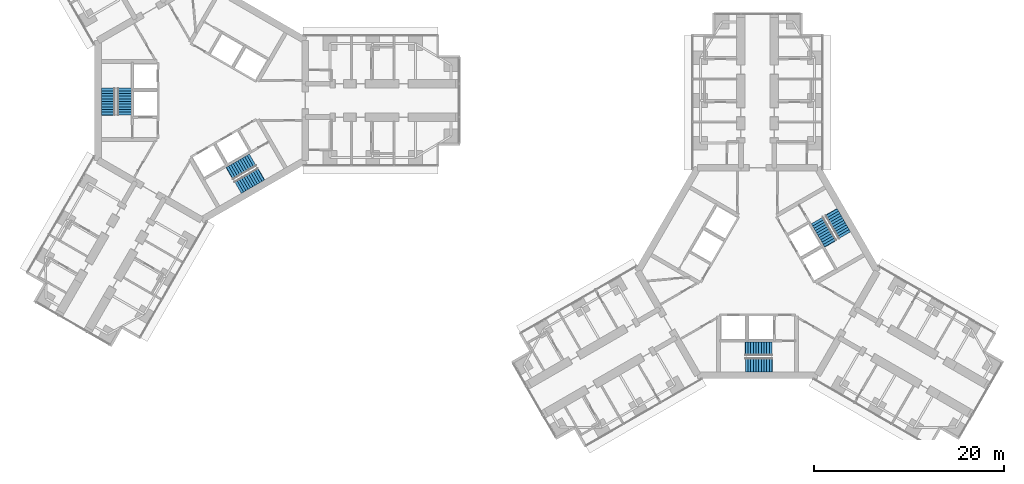
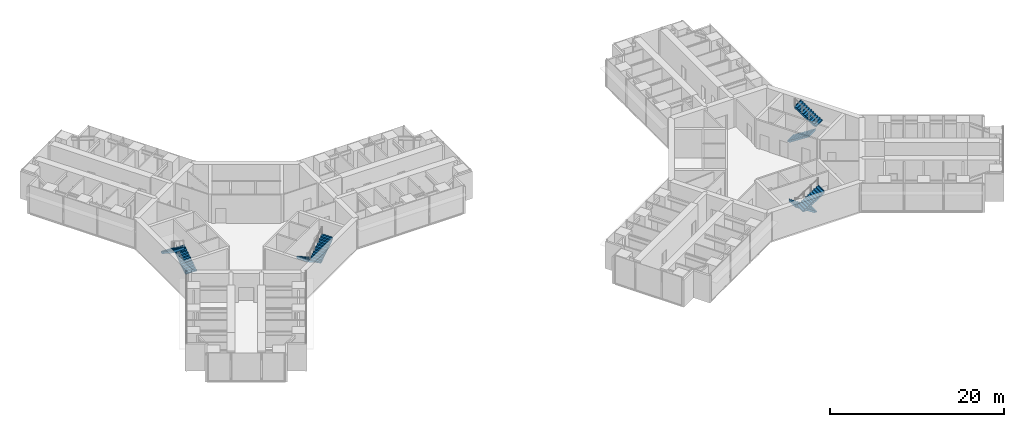
# One storey, part 23 of 24: 8 stair flights, 4 elements without a shape of their own.
"""IFC4 building model written with IfcOpenShell, lengths in metres."""

from ifc_helpers import new_model, si_unit, direction, frame, origin, place, context, subcontext, project, spatial, polyline, outline, extrude, material, type_object, element, aggregate, save


model = new_model("IFC4")

# Units and contexts
model_context = context("Model", 3, precision=1e-05, world=origin(), true_north=direction((0.0, 1.0)))
body_context = subcontext(model_context, "Body", "Model", "MODEL_VIEW")
ifc_project = project(units=[si_unit("LENGTHUNIT", "METRE"), si_unit("AREAUNIT", "SQUARE_METRE"), si_unit("VOLUMEUNIT", "CUBIC_METRE"), si_unit("PLANEANGLEUNIT", "RADIAN"), si_unit("MASSUNIT", "GRAM", prefix="KILO")], contexts=[model_context])

# Site, building, storey
site_placement = place(None, origin())
site = spatial("IfcSite", under=ifc_project, at=site_placement, CompositionType="ELEMENT")
building_placement = place(site_placement, origin())
building = spatial("IfcBuilding", under=site, at=building_placement, Name="Upepo Twin Towers", CompositionType="ELEMENT")
storey_placement = place(building_placement, frame((0.0, 0.0, 64.5)))
storey = spatial("IfcBuildingStorey", under=building, at=storey_placement, Name="L15", CompositionType="ELEMENT", Elevation=64.5)

# Stair, stair flights
ifc_material_1 = material(Name="Concrete C40/50", Category="concrete")
stair_type = type_object("IfcStairType", Name="Core stair, two flights", PredefinedType="HALF_TURN_STAIR", material=ifc_material_1)
stair_1_placement = place(storey_placement, origin())
stair_1 = element("IfcStair", 1, at=stair_1_placement, inside=storey, type_object=stair_type, Name="T1 stair S1 L15", PredefinedType="HALF_TURN_STAIR")
ifc_material_2 = material(Name="Concrete C40/50", Category="concrete")
stair_flight_type = type_object("IfcStairFlightType", Name="Stair flight 1450 RC", PredefinedType="STRAIGHT", material=ifc_material_2)
stair_flight_1_placement = place(storey_placement, frame((-8.125, -1.52001953125, 0.0), z_axis=(0.0, 0.0, 1.0), x_axis=(0.0, 1.0, 0.0)))
stair_flight_1 = element("IfcStairFlight", 2, at=stair_flight_1_placement, type_object=stair_flight_type, Name="Stair S1 flight 1", NumberOfRisers=11, NumberOfTreads=10, PredefinedType="STRAIGHT", RiserHeight=0.181818182, TreadLength=0.28, context=body_context, shape_type="SweptSolid", body=[
    extrude(outline(polyline([(0.0, 0.0), (0.0, 0.181884765625), (0.280029296875, 0.181884765625), (0.280029296875, 0.363525390625), (0.56005859375, 0.363525390625), (0.56005859375, 0.54541015625), (0.840087890625, 0.54541015625), (0.840087890625, 0.727294921875), (1.1201171875, 0.727294921875), (1.1201171875, 0.9091796875), (1.39990234375, 0.9091796875), (1.39990234375, 1.0908203125), (1.679931640625, 1.0908203125), (1.679931640625, 1.272705078125), (1.9599609375, 1.272705078125), (1.9599609375, 1.45458984375), (2.239990234375, 1.45458984375), (2.239990234375, 1.636474609375), (2.52001953125, 1.636474609375), (2.52001953125, 1.818115234375), (2.800048828125, 1.818115234375), (2.800048828125, 2.0), (2.85009765625, 2.0), (2.85009765625, 1.639404296875), (0.3251953125, 0.0), (0.0, 0.0)])), frame((0.0, 0.72509765625, 0.0), z_axis=(0.0, -1.0, 0.0), x_axis=(1.0, 0.0, 0.0)), (0.0, 0.0, 1.0), 1.449951171875),
])
stair_flight_2_placement = place(storey_placement, frame((-9.833251953125, 1.280029296875, 2.0), z_axis=(0.0, 0.0, 1.0), x_axis=(0.0, -1.0, 0.0)))
stair_flight_2 = element("IfcStairFlight", 3, at=stair_flight_2_placement, type_object=stair_flight_type, Name="Stair S1 flight 2", NumberOfRisers=11, NumberOfTreads=10, PredefinedType="STRAIGHT", RiserHeight=0.181818182, TreadLength=0.28, context=body_context, shape_type="SweptSolid", body=[
    extrude(outline(polyline([(0.0, 0.0), (0.0, 0.181884765625), (0.280029296875, 0.181884765625), (0.280029296875, 0.363525390625), (0.56005859375, 0.363525390625), (0.56005859375, 0.54541015625), (0.840087890625, 0.54541015625), (0.840087890625, 0.727294921875), (1.1201171875, 0.727294921875), (1.1201171875, 0.9091796875), (1.39990234375, 0.9091796875), (1.39990234375, 1.0908203125), (1.679931640625, 1.0908203125), (1.679931640625, 1.272705078125), (1.9599609375, 1.272705078125), (1.9599609375, 1.45458984375), (2.239990234375, 1.45458984375), (2.239990234375, 1.636474609375), (2.52001953125, 1.636474609375), (2.52001953125, 1.818115234375), (2.800048828125, 1.818115234375), (2.800048828125, 2.0), (2.85009765625, 2.0), (2.85009765625, 1.639404296875), (0.3251953125, 0.0), (0.0, 0.0)])), frame((0.0, 0.72509765625, 0.0), z_axis=(0.0, -1.0, 0.0), x_axis=(1.0, 0.0, 0.0)), (0.0, 0.0, 1.0), 1.449951171875),
])
aggregate(stair_1, [stair_flight_1, stair_flight_2])

stair_2_placement = place(storey_placement, origin())
stair_2 = element("IfcStair", 4, at=stair_2_placement, inside=storey, type_object=stair_type, Name="T1 stair S2 L15", PredefinedType="HALF_TURN_STAIR")
stair_flight_3_placement = place(storey_placement, frame((5.37890625, -6.2763671875, 0.0), z_axis=(0.0, 0.0, 1.0), x_axis=(-0.866025403784, -0.5, 0.0)))
stair_flight_3 = element("IfcStairFlight", 5, at=stair_flight_3_placement, type_object=stair_flight_type, Name="Stair S2 flight 1", NumberOfRisers=11, NumberOfTreads=10, PredefinedType="STRAIGHT", RiserHeight=0.181818182, TreadLength=0.28, context=body_context, shape_type="SweptSolid", body=[
    extrude(outline(polyline([(0.0, 0.0), (0.0, 0.181884765625), (0.280029296875, 0.181884765625), (0.280029296875, 0.363525390625), (0.56005859375, 0.363525390625), (0.56005859375, 0.54541015625), (0.840087890625, 0.54541015625), (0.840087890625, 0.727294921875), (1.1201171875, 0.727294921875), (1.1201171875, 0.9091796875), (1.39990234375, 0.9091796875), (1.39990234375, 1.0908203125), (1.679931640625, 1.0908203125), (1.679931640625, 1.272705078125), (1.9599609375, 1.272705078125), (1.9599609375, 1.45458984375), (2.239990234375, 1.45458984375), (2.239990234375, 1.636474609375), (2.52001953125, 1.636474609375), (2.52001953125, 1.818115234375), (2.800048828125, 1.818115234375), (2.800048828125, 2.0), (2.85009765625, 2.0), (2.85009765625, 1.639404296875), (0.3251953125, 0.0), (0.0, 0.0)])), frame((0.0, 0.72509765625, 0.0), z_axis=(0.0, -1.0, 0.0), x_axis=(1.0, 0.0, 0.0)), (0.0, 0.0, 1.0), 1.449951171875),
])
stair_flight_4_placement = place(storey_placement, frame((3.80810546875, -9.156005859375, 2.0), z_axis=(0.0, 0.0, 1.0), x_axis=(0.866025403784, 0.5, 0.0)))
stair_flight_4 = element("IfcStairFlight", 6, at=stair_flight_4_placement, type_object=stair_flight_type, Name="Stair S2 flight 2", NumberOfRisers=11, NumberOfTreads=10, PredefinedType="STRAIGHT", RiserHeight=0.181818182, TreadLength=0.28, context=body_context, shape_type="SweptSolid", body=[
    extrude(outline(polyline([(0.0, 0.0), (0.0, 0.181884765625), (0.280029296875, 0.181884765625), (0.280029296875, 0.363525390625), (0.56005859375, 0.363525390625), (0.56005859375, 0.54541015625), (0.840087890625, 0.54541015625), (0.840087890625, 0.727294921875), (1.1201171875, 0.727294921875), (1.1201171875, 0.9091796875), (1.39990234375, 0.9091796875), (1.39990234375, 1.0908203125), (1.679931640625, 1.0908203125), (1.679931640625, 1.272705078125), (1.9599609375, 1.272705078125), (1.9599609375, 1.45458984375), (2.239990234375, 1.45458984375), (2.239990234375, 1.636474609375), (2.52001953125, 1.636474609375), (2.52001953125, 1.818115234375), (2.800048828125, 1.818115234375), (2.800048828125, 2.0), (2.85009765625, 2.0), (2.85009765625, 1.639404296875), (0.3251953125, 0.0), (0.0, 0.0)])), frame((0.0, 0.72509765625, 0.0), z_axis=(0.0, -1.0, 0.0), x_axis=(1.0, 0.0, 0.0)), (0.0, 0.0, 1.0), 1.449951171875),
])
aggregate(stair_2, [stair_flight_3, stair_flight_4])

stair_3_placement = place(storey_placement, origin())
stair_3 = element("IfcStair", 7, at=stair_3_placement, inside=storey, type_object=stair_type, Name="T2 stair S1 L15", PredefinedType="HALF_TURN_STAIR")
stair_flight_5_placement = place(storey_placement, frame((60.02001953125, -26.125, 0.0), z_axis=(0.0, 0.0, 1.0), x_axis=(-1.0, 0.0, 0.0)))
stair_flight_5 = element("IfcStairFlight", 8, at=stair_flight_5_placement, type_object=stair_flight_type, Name="Stair S1 flight 1", NumberOfRisers=11, NumberOfTreads=10, PredefinedType="STRAIGHT", RiserHeight=0.181818182, TreadLength=0.28, context=body_context, shape_type="SweptSolid", body=[
    extrude(outline(polyline([(0.0, 0.0), (0.0, 0.181884765625), (0.280029296875, 0.181884765625), (0.280029296875, 0.363525390625), (0.56005859375, 0.363525390625), (0.56005859375, 0.54541015625), (0.840087890625, 0.54541015625), (0.840087890625, 0.727294921875), (1.1201171875, 0.727294921875), (1.1201171875, 0.9091796875), (1.39990234375, 0.9091796875), (1.39990234375, 1.0908203125), (1.679931640625, 1.0908203125), (1.679931640625, 1.272705078125), (1.9599609375, 1.272705078125), (1.9599609375, 1.45458984375), (2.239990234375, 1.45458984375), (2.239990234375, 1.636474609375), (2.52001953125, 1.636474609375), (2.52001953125, 1.818115234375), (2.800048828125, 1.818115234375), (2.800048828125, 2.0), (2.85009765625, 2.0), (2.85009765625, 1.639404296875), (0.3251953125, 0.0), (0.0, 0.0)])), frame((0.0, 0.72509765625, 0.0), z_axis=(0.0, -1.0, 0.0), x_axis=(1.0, 0.0, 0.0)), (0.0, 0.0, 1.0), 1.449951171875),
])
stair_flight_6_placement = place(storey_placement, frame((57.219970703125, -27.833251953125, 2.0), z_axis=(0.0, 0.0, 1.0), x_axis=(1.0, 0.0, 0.0)))
stair_flight_6 = element("IfcStairFlight", 9, at=stair_flight_6_placement, type_object=stair_flight_type, Name="Stair S1 flight 2", NumberOfRisers=11, NumberOfTreads=10, PredefinedType="STRAIGHT", RiserHeight=0.181818182, TreadLength=0.28, context=body_context, shape_type="SweptSolid", body=[
    extrude(outline(polyline([(0.0, 0.0), (0.0, 0.181884765625), (0.280029296875, 0.181884765625), (0.280029296875, 0.363525390625), (0.56005859375, 0.363525390625), (0.56005859375, 0.54541015625), (0.840087890625, 0.54541015625), (0.840087890625, 0.727294921875), (1.1201171875, 0.727294921875), (1.1201171875, 0.9091796875), (1.39990234375, 0.9091796875), (1.39990234375, 1.0908203125), (1.679931640625, 1.0908203125), (1.679931640625, 1.272705078125), (1.9599609375, 1.272705078125), (1.9599609375, 1.45458984375), (2.239990234375, 1.45458984375), (2.239990234375, 1.636474609375), (2.52001953125, 1.636474609375), (2.52001953125, 1.818115234375), (2.800048828125, 1.818115234375), (2.800048828125, 2.0), (2.85009765625, 2.0), (2.85009765625, 1.639404296875), (0.3251953125, 0.0), (0.0, 0.0)])), frame((0.0, 0.72509765625, 0.0), z_axis=(0.0, -1.0, 0.0), x_axis=(1.0, 0.0, 0.0)), (0.0, 0.0, 1.0), 1.449951171875),
])
aggregate(stair_3, [stair_flight_5, stair_flight_6])

stair_4_placement = place(storey_placement, origin())
stair_4 = element("IfcStair", 10, at=stair_4_placement, inside=storey, type_object=stair_type, Name="T2 stair S2 L15", PredefinedType="HALF_TURN_STAIR")
stair_flight_7_placement = place(storey_placement, frame((64.7763671875, -12.62109375, 0.0), z_axis=(0.0, 0.0, 1.0), x_axis=(0.5, -0.866025403784, 0.0)))
stair_flight_7 = element("IfcStairFlight", 11, at=stair_flight_7_placement, type_object=stair_flight_type, Name="Stair S2 flight 1", NumberOfRisers=11, NumberOfTreads=10, PredefinedType="STRAIGHT", RiserHeight=0.181818182, TreadLength=0.28, context=body_context, shape_type="SweptSolid", body=[
    extrude(outline(polyline([(0.0, 0.0), (0.0, 0.181884765625), (0.280029296875, 0.181884765625), (0.280029296875, 0.363525390625), (0.56005859375, 0.363525390625), (0.56005859375, 0.54541015625), (0.840087890625, 0.54541015625), (0.840087890625, 0.727294921875), (1.1201171875, 0.727294921875), (1.1201171875, 0.9091796875), (1.39990234375, 0.9091796875), (1.39990234375, 1.0908203125), (1.679931640625, 1.0908203125), (1.679931640625, 1.272705078125), (1.9599609375, 1.272705078125), (1.9599609375, 1.45458984375), (2.239990234375, 1.45458984375), (2.239990234375, 1.636474609375), (2.52001953125, 1.636474609375), (2.52001953125, 1.818115234375), (2.800048828125, 1.818115234375), (2.800048828125, 2.0), (2.85009765625, 2.0), (2.85009765625, 1.639404296875), (0.3251953125, 0.0), (0.0, 0.0)])), frame((0.0, 0.72509765625, 0.0), z_axis=(0.0, -1.0, 0.0), x_axis=(1.0, 0.0, 0.0)), (0.0, 0.0, 1.0), 1.449951171875),
])
stair_flight_8_placement = place(storey_placement, frame((67.656005859375, -14.19189453125, 2.0), z_axis=(0.0, 0.0, 1.0), x_axis=(-0.5, 0.866025403784, 0.0)))
stair_flight_8 = element("IfcStairFlight", 12, at=stair_flight_8_placement, type_object=stair_flight_type, Name="Stair S2 flight 2", NumberOfRisers=11, NumberOfTreads=10, PredefinedType="STRAIGHT", RiserHeight=0.181818182, TreadLength=0.28, context=body_context, shape_type="SweptSolid", body=[
    extrude(outline(polyline([(0.0, 0.0), (0.0, 0.181884765625), (0.280029296875, 0.181884765625), (0.280029296875, 0.363525390625), (0.56005859375, 0.363525390625), (0.56005859375, 0.54541015625), (0.840087890625, 0.54541015625), (0.840087890625, 0.727294921875), (1.1201171875, 0.727294921875), (1.1201171875, 0.9091796875), (1.39990234375, 0.9091796875), (1.39990234375, 1.0908203125), (1.679931640625, 1.0908203125), (1.679931640625, 1.272705078125), (1.9599609375, 1.272705078125), (1.9599609375, 1.45458984375), (2.239990234375, 1.45458984375), (2.239990234375, 1.636474609375), (2.52001953125, 1.636474609375), (2.52001953125, 1.818115234375), (2.800048828125, 1.818115234375), (2.800048828125, 2.0), (2.85009765625, 2.0), (2.85009765625, 1.639404296875), (0.3251953125, 0.0), (0.0, 0.0)])), frame((0.0, 0.72509765625, 0.0), z_axis=(0.0, -1.0, 0.0), x_axis=(1.0, 0.0, 0.0)), (0.0, 0.0, 1.0), 1.449951171875),
])
aggregate(stair_4, [stair_flight_7, stair_flight_8])

save(model, "model.ifc")
